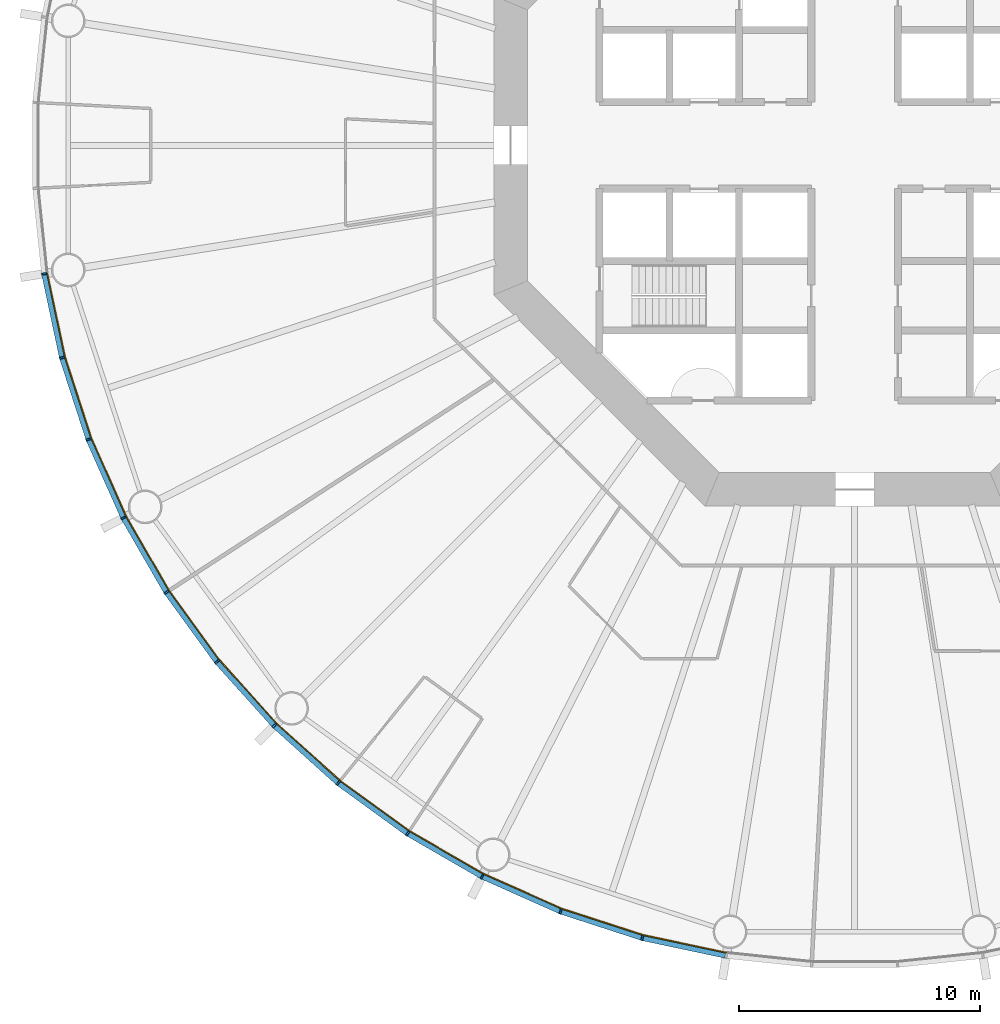
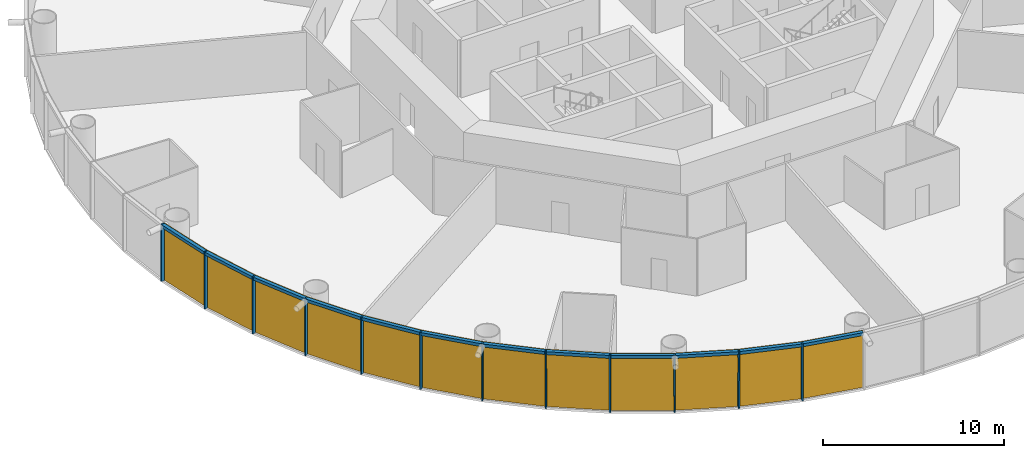
# One storey, part 7 of 13: 24 members, 4 curtain walls.
"""IFC4 building model written with IfcOpenShell, lengths in metres."""

from ifc_helpers import new_model, si_unit, direction, frame, origin, origin_2d, place, context, subcontext, project, spatial, polyline, rectangle, outline, extrude, material, layer, layer_set, material_profile, profile_set, type_object, element, aggregate, save


model = new_model("IFC4")

# Units and contexts
model_context = context("Model", 3, precision=1e-05, world=origin(), true_north=direction((0.0, 1.0)))
body_context = subcontext(model_context, "Body", "Model", "MODEL_VIEW")
ifc_project = project(units=[si_unit("LENGTHUNIT", "METRE"), si_unit("AREAUNIT", "SQUARE_METRE"), si_unit("VOLUMEUNIT", "CUBIC_METRE"), si_unit("PLANEANGLEUNIT", "RADIAN"), si_unit("MASSUNIT", "GRAM", prefix="KILO")], contexts=[model_context])

# Member
ifc_material_1 = material(Name="Anodised aluminium", Category="aluminium")
ifc_material_profile_1 = material_profile(ifc_material_1, rectangle(XDim=0.074951171875, YDim=0.219970703125, at=origin_2d()), Name="Mullion 75 x 220 mm anodised aluminium")
ifc_profile_set_1 = profile_set([ifc_material_profile_1], Name="Anodised aluminium")
member_type_1 = type_object("IfcMemberType", Name="Mullion 75 x 220 mm anodised aluminium", PredefinedType="MULLION", material=ifc_profile_set_1)
site_placement = place(None, origin())
building_placement = place(site_placement, origin())
storey_placement = place(building_placement, frame((0.0, 0.0, 34.0)))
member_1_placement = place(storey_placement, frame((56.31005859375, 74.6640625, 0.0), z_axis=(0.0, 0.0, 1.0), x_axis=(0.15643446504, -0.987688340595, 0.0)))
member_1 = element("IfcMember", 1, at=member_1_placement, type_object=member_type_1, Name="MULLION L06-30", PredefinedType="MULLION", context=body_context, shape_type="SweptSolid", body=[
    extrude(rectangle(XDim=0.074951171875, YDim=0.219970703125, at=origin_2d()), origin(), (0.0, 0.0, 1.0), 3.85009765625),
])

member_2_placement = place(storey_placement, frame((57.05224609375, 71.171630859375, 0.0), z_axis=(0.0, 0.0, 1.0), x_axis=(0.258819045103, -0.965925826289, 0.0)))
member_2 = element("IfcMember", 2, at=member_2_placement, type_object=member_type_1, Name="MULLION L06-31", PredefinedType="MULLION", context=body_context, shape_type="SweptSolid", body=[
    extrude(rectangle(XDim=0.074951171875, YDim=0.219970703125, at=origin_2d()), origin(), (0.0, 0.0, 1.0), 3.85009765625),
])

member_3_placement = place(storey_placement, frame((58.155517578125, 67.776123046875, 0.0), z_axis=(0.0, 0.0, 1.0), x_axis=(0.358367949545, -0.933580426497, 0.0)))
member_3 = element("IfcMember", 3, at=member_3_placement, type_object=member_type_1, Name="MULLION L06-32", PredefinedType="MULLION", context=body_context, shape_type="SweptSolid", body=[
    extrude(rectangle(XDim=0.074951171875, YDim=0.219970703125, at=origin_2d()), origin(), (0.0, 0.0, 1.0), 3.85009765625),
])

member_4_placement = place(storey_placement, frame((59.607666015625, 64.514404296875, 0.0), z_axis=(0.0, 0.0, 1.0), x_axis=(0.45399049974, -0.891006524188, 0.0)))
member_4 = element("IfcMember", 4, at=member_4_placement, type_object=member_type_1, Name="MULLION L06-33", PredefinedType="MULLION", context=body_context, shape_type="SweptSolid", body=[
    extrude(rectangle(XDim=0.074951171875, YDim=0.219970703125, at=origin_2d()), origin(), (0.0, 0.0, 1.0), 3.85009765625),
])

member_5_placement = place(storey_placement, frame((61.39306640625, 61.42236328125, 0.0), z_axis=(0.0, 0.0, 1.0), x_axis=(0.544639035015, -0.838670567945, 0.0)))
member_5 = element("IfcMember", 5, at=member_5_placement, type_object=member_type_1, Name="MULLION L06-34", PredefinedType="MULLION", context=body_context, shape_type="SweptSolid", body=[
    extrude(rectangle(XDim=0.074951171875, YDim=0.219970703125, at=origin_2d()), origin(), (0.0, 0.0, 1.0), 3.85009765625),
])

member_6_placement = place(storey_placement, frame((63.491455078125, 58.533935546875, 0.0), z_axis=(0.0, 0.0, 1.0), x_axis=(0.62932039105, -0.777145961457, 0.0)))
member_6 = element("IfcMember", 6, at=member_6_placement, type_object=member_type_1, Name="MULLION L06-35", PredefinedType="MULLION", context=body_context, shape_type="SweptSolid", body=[
    extrude(rectangle(XDim=0.074951171875, YDim=0.219970703125, at=origin_2d()), origin(), (0.0, 0.0, 1.0), 3.85009765625),
])

member_7_placement = place(storey_placement, frame((65.880615234375, 55.880615234375, 0.0), z_axis=(0.0, 0.0, 1.0), x_axis=(0.707106781187, -0.707106781187, 0.0)))
member_7 = element("IfcMember", 7, at=member_7_placement, type_object=member_type_1, Name="MULLION L06-36", PredefinedType="MULLION", context=body_context, shape_type="SweptSolid", body=[
    extrude(rectangle(XDim=0.074951171875, YDim=0.219970703125, at=origin_2d()), origin(), (0.0, 0.0, 1.0), 3.85009765625),
])

member_8_placement = place(storey_placement, frame((68.533935546875, 53.491455078125, 0.0), z_axis=(0.0, 0.0, 1.0), x_axis=(0.777145961457, -0.62932039105, 0.0)))
member_8 = element("IfcMember", 8, at=member_8_placement, type_object=member_type_1, Name="MULLION L06-37", PredefinedType="MULLION", context=body_context, shape_type="SweptSolid", body=[
    extrude(rectangle(XDim=0.074951171875, YDim=0.219970703125, at=origin_2d()), origin(), (0.0, 0.0, 1.0), 3.85009765625),
])

member_9_placement = place(storey_placement, frame((71.42236328125, 51.39306640625, 0.0), z_axis=(0.0, 0.0, 1.0), x_axis=(0.838670567945, -0.544639035015, 0.0)))
member_9 = element("IfcMember", 9, at=member_9_placement, type_object=member_type_1, Name="MULLION L06-38", PredefinedType="MULLION", context=body_context, shape_type="SweptSolid", body=[
    extrude(rectangle(XDim=0.074951171875, YDim=0.219970703125, at=origin_2d()), origin(), (0.0, 0.0, 1.0), 3.85009765625),
])

member_10_placement = place(storey_placement, frame((74.514404296875, 49.607666015625, 0.0), z_axis=(0.0, 0.0, 1.0), x_axis=(0.891006524188, -0.45399049974, 0.0)))
member_10 = element("IfcMember", 10, at=member_10_placement, type_object=member_type_1, Name="MULLION L06-39", PredefinedType="MULLION", context=body_context, shape_type="SweptSolid", body=[
    extrude(rectangle(XDim=0.074951171875, YDim=0.219970703125, at=origin_2d()), origin(), (0.0, 0.0, 1.0), 3.85009765625),
])

member_11_placement = place(storey_placement, frame((77.776123046875, 48.155517578125, 0.0), z_axis=(0.0, 0.0, 1.0), x_axis=(0.933580426497, -0.358367949545, 0.0)))
member_11 = element("IfcMember", 11, at=member_11_placement, type_object=member_type_1, Name="MULLION L06-40", PredefinedType="MULLION", context=body_context, shape_type="SweptSolid", body=[
    extrude(rectangle(XDim=0.074951171875, YDim=0.219970703125, at=origin_2d()), origin(), (0.0, 0.0, 1.0), 3.85009765625),
])

member_12_placement = place(storey_placement, frame((81.171630859375, 47.05224609375, 0.0), z_axis=(0.0, 0.0, 1.0), x_axis=(0.965925826289, -0.258819045103, 0.0)))
member_12 = element("IfcMember", 12, at=member_12_placement, type_object=member_type_1, Name="MULLION L06-41", PredefinedType="MULLION", context=body_context, shape_type="SweptSolid", body=[
    extrude(rectangle(XDim=0.074951171875, YDim=0.219970703125, at=origin_2d()), origin(), (0.0, 0.0, 1.0), 3.85009765625),
])

ifc_material_2 = material(Name="Anodised aluminium", Category="aluminium")
ifc_material_profile_2 = material_profile(ifc_material_2, rectangle(XDim=0.219970703125, YDim=0.199951171875, at=origin_2d()), Name="Transom 200 x 220 mm anodised aluminium")
ifc_profile_set_2 = profile_set([ifc_material_profile_2], Name="Anodised aluminium")
member_type_2 = type_object("IfcMemberType", Name="Transom 200 x 220 mm anodised aluminium", PredefinedType="USERDEFINED", material=ifc_profile_set_2)
member_13_placement = place(storey_placement, frame((56.31884765625, 74.62158203125, 3.75), z_axis=(0.207920776701, -0.978145669426, 0.0), x_axis=(0.978145669426, 0.207920776701, 0.0)))
member_13 = element("IfcMember", 13, at=member_13_placement, type_object=member_type_2, Name="TRANSOM L06-30", ObjectType="TRANSOM", PredefinedType="USERDEFINED", context=body_context, shape_type="SweptSolid", body=[
    extrude(rectangle(XDim=0.219970703125, YDim=0.199951171875, at=origin_2d()), origin(), (0.0, 0.0, 1.0), 3.48388671875),
])

member_14_placement = place(storey_placement, frame((57.0654296875, 71.130615234375, 3.75), z_axis=(0.309029029702, -0.951052605696, 0.0), x_axis=(0.951052605696, 0.309029029702, 0.0)))
member_14 = element("IfcMember", 14, at=member_14_placement, type_object=member_type_2, Name="TRANSOM L06-31", ObjectType="TRANSOM", PredefinedType="USERDEFINED", context=body_context, shape_type="SweptSolid", body=[
    extrude(rectangle(XDim=0.219970703125, YDim=0.199951171875, at=origin_2d()), origin(), (0.0, 0.0, 1.0), 3.484130859375),
])

member_15_placement = place(storey_placement, frame((58.173095703125, 67.736572265625, 3.75), z_axis=(0.406736576304, -0.913545487371, 0.0), x_axis=(0.913545487371, 0.406736576304, 0.0)))
member_15 = element("IfcMember", 15, at=member_15_placement, type_object=member_type_2, Name="TRANSOM L06-32", ObjectType="TRANSOM", PredefinedType="USERDEFINED", context=body_context, shape_type="SweptSolid", body=[
    extrude(rectangle(XDim=0.219970703125, YDim=0.199951171875, at=origin_2d()), origin(), (0.0, 0.0, 1.0), 3.48388671875),
])

member_16_placement = place(storey_placement, frame((59.629150390625, 64.476806640625, 3.75), z_axis=(0.500005538244, -0.866022206254, 0.0), x_axis=(0.866022206254, 0.500005538244, 0.0)))
member_16 = element("IfcMember", 16, at=member_16_placement, type_object=member_type_2, Name="TRANSOM L06-33", ObjectType="TRANSOM", PredefinedType="USERDEFINED", context=body_context, shape_type="SweptSolid", body=[
    extrude(rectangle(XDim=0.219970703125, YDim=0.199951171875, at=origin_2d()), origin(), (0.0, 0.0, 1.0), 3.48388671875),
])

member_17_placement = place(storey_placement, frame((61.418212890625, 61.38720703125, 3.75), z_axis=(0.587821627006, -0.80899056535, 0.0), x_axis=(0.80899056535, 0.587821627006, 0.0)))
member_17 = element("IfcMember", 17, at=member_17_placement, type_object=member_type_2, Name="TRANSOM L06-34", ObjectType="TRANSOM", PredefinedType="USERDEFINED", context=body_context, shape_type="SweptSolid", body=[
    extrude(rectangle(XDim=0.219970703125, YDim=0.199951171875, at=origin_2d()), origin(), (0.0, 0.0, 1.0), 3.48388671875),
])

member_18_placement = place(storey_placement, frame((63.520263671875, 58.501708984375, 3.75), z_axis=(0.669138930974, -0.743137329876, 0.0), x_axis=(0.743137329876, 0.669138930974, 0.0)))
member_18 = element("IfcMember", 18, at=member_18_placement, type_object=member_type_2, Name="TRANSOM L06-35", ObjectType="TRANSOM", PredefinedType="USERDEFINED", context=body_context, shape_type="SweptSolid", body=[
    extrude(rectangle(XDim=0.219970703125, YDim=0.199951171875, at=origin_2d()), origin(), (0.0, 0.0, 1.0), 3.484130859375),
])

member_19_placement = place(storey_placement, frame((65.91259765625, 55.8515625, 3.75), z_axis=(0.743137329876, -0.669138930974, 0.0), x_axis=(0.669138930974, 0.743137329876, 0.0)))
member_19 = element("IfcMember", 19, at=member_19_placement, type_object=member_type_2, Name="TRANSOM L06-36", ObjectType="TRANSOM", PredefinedType="USERDEFINED", context=body_context, shape_type="SweptSolid", body=[
    extrude(rectangle(XDim=0.219970703125, YDim=0.199951171875, at=origin_2d()), origin(), (0.0, 0.0, 1.0), 3.484130859375),
])

member_20_placement = place(storey_placement, frame((68.56884765625, 53.466064453125, 3.75), z_axis=(0.80899056535, -0.587821627006, 0.0), x_axis=(0.587821627006, 0.80899056535, 0.0)))
member_20 = element("IfcMember", 20, at=member_20_placement, type_object=member_type_2, Name="TRANSOM L06-37", ObjectType="TRANSOM", PredefinedType="USERDEFINED", context=body_context, shape_type="SweptSolid", body=[
    extrude(rectangle(XDim=0.219970703125, YDim=0.199951171875, at=origin_2d()), origin(), (0.0, 0.0, 1.0), 3.48388671875),
])

member_21_placement = place(storey_placement, frame((71.459716796875, 51.37109375, 3.75), z_axis=(0.866022206254, -0.500005538244, 0.0), x_axis=(0.500005538244, 0.866022206254, 0.0)))
member_21 = element("IfcMember", 21, at=member_21_placement, type_object=member_type_2, Name="TRANSOM L06-38", ObjectType="TRANSOM", PredefinedType="USERDEFINED", context=body_context, shape_type="SweptSolid", body=[
    extrude(rectangle(XDim=0.219970703125, YDim=0.199951171875, at=origin_2d()), origin(), (0.0, 0.0, 1.0), 3.48388671875),
])

member_22_placement = place(storey_placement, frame((74.553955078125, 49.590087890625, 3.75), z_axis=(0.913545487371, -0.406736576304, 0.0), x_axis=(0.406736576304, 0.913545487371, 0.0)))
member_22 = element("IfcMember", 22, at=member_22_placement, type_object=member_type_2, Name="TRANSOM L06-39", ObjectType="TRANSOM", PredefinedType="USERDEFINED", context=body_context, shape_type="SweptSolid", body=[
    extrude(rectangle(XDim=0.219970703125, YDim=0.199951171875, at=origin_2d()), origin(), (0.0, 0.0, 1.0), 3.48388671875),
])

member_23_placement = place(storey_placement, frame((77.817138671875, 48.14208984375, 3.75), z_axis=(0.951052605696, -0.309029029702, 0.0), x_axis=(0.309029029702, 0.951052605696, 0.0)))
member_23 = element("IfcMember", 23, at=member_23_placement, type_object=member_type_2, Name="TRANSOM L06-40", ObjectType="TRANSOM", PredefinedType="USERDEFINED", context=body_context, shape_type="SweptSolid", body=[
    extrude(rectangle(XDim=0.219970703125, YDim=0.199951171875, at=origin_2d()), origin(), (0.0, 0.0, 1.0), 3.484130859375),
])

member_24_placement = place(storey_placement, frame((81.2138671875, 47.043212890625, 3.75), z_axis=(0.978145669426, -0.207920776701, 0.0), x_axis=(0.207920776701, 0.978145669426, 0.0)))
member_24 = element("IfcMember", 24, at=member_24_placement, type_object=member_type_2, Name="TRANSOM L06-41", ObjectType="TRANSOM", PredefinedType="USERDEFINED", context=body_context, shape_type="SweptSolid", body=[
    extrude(rectangle(XDim=0.219970703125, YDim=0.199951171875, at=origin_2d()), origin(), (0.0, 0.0, 1.0), 3.48388671875),
])

# Site, building, storey
site = spatial("IfcSite", under=ifc_project, at=site_placement, CompositionType="ELEMENT")
building = spatial("IfcBuilding", under=site, at=building_placement, Name="Entoto Ring Tower", CompositionType="ELEMENT")
storey = spatial("IfcBuildingStorey", under=building, at=storey_placement, Name="L06", CompositionType="ELEMENT", Elevation=34.0)

# Curtain wall
ifc_material_3 = material(Name="Clear low-iron glass", Category="glass")
ifc_layer = layer(ifc_material_3, 0.0400390625)
ifc_layer_set = layer_set([ifc_layer], Name="Clear low-iron glass")
curtain_wall_type = type_object("IfcCurtainWallType", Name="Curtain wall system CW1 glazing 40 mm", PredefinedType="NOTDEFINED", material=ifc_layer_set)
curtain_wall_1_placement = place(storey_placement, origin())
curtain_wall_1 = element("IfcCurtainWall", 25, at=curtain_wall_1_placement, inside=storey, type_object=curtain_wall_type, Name="CW1 L06-11", PredefinedType="NOTDEFINED", context=body_context, shape_type="SweptSolid", body=[
    extrude(outline(polyline([(56.418701171875, 74.68115234375), (57.158447265625, 71.2001953125), (58.25830078125, 67.8154296875), (59.705810546875, 64.564208984375), (59.741455078125, 64.58251953125), (58.295654296875, 67.829833984375), (57.197265625, 71.21044921875), (56.458251953125, 74.6875), (56.418701171875, 74.68115234375)])), origin(), (0.0, 0.0, 1.0), 3.85009765625),
])

aggregate(curtain_wall_1, [member_1, member_2, member_3, member_13, member_14, member_15])

curtain_wall_2_placement = place(storey_placement, origin())
curtain_wall_2 = element("IfcCurtainWall", 26, at=curtain_wall_2_placement, inside=storey, type_object=curtain_wall_type, Name="CW1 L06-12", PredefinedType="NOTDEFINED", context=body_context, shape_type="SweptSolid", body=[
    extrude(outline(polyline([(59.705810546875, 64.564208984375), (61.485107421875, 61.482177734375), (63.5771484375, 58.60302734375), (65.958251953125, 55.958251953125), (65.986572265625, 55.986572265625), (63.608154296875, 58.62841796875), (61.518798828125, 61.504150390625), (59.741455078125, 64.58251953125), (59.705810546875, 64.564208984375)])), origin(), (0.0, 0.0, 1.0), 3.85009765625),
])

aggregate(curtain_wall_2, [member_4, member_5, member_6, member_16, member_17, member_18])

curtain_wall_3_placement = place(storey_placement, origin())
curtain_wall_3 = element("IfcCurtainWall", 27, at=curtain_wall_3_placement, inside=storey, type_object=curtain_wall_type, Name="CW1 L06-13", PredefinedType="NOTDEFINED", context=body_context, shape_type="SweptSolid", body=[
    extrude(outline(polyline([(65.958251953125, 55.958251953125), (68.60302734375, 53.5771484375), (71.482177734375, 51.485107421875), (74.564208984375, 49.705810546875), (74.58251953125, 49.741455078125), (71.504150390625, 51.518798828125), (68.62841796875, 53.608154296875), (65.986572265625, 55.986572265625), (65.958251953125, 55.958251953125)])), origin(), (0.0, 0.0, 1.0), 3.85009765625),
])

aggregate(curtain_wall_3, [member_7, member_8, member_9, member_19, member_20, member_21])

curtain_wall_4_placement = place(storey_placement, origin())
curtain_wall_4 = element("IfcCurtainWall", 28, at=curtain_wall_4_placement, inside=storey, type_object=curtain_wall_type, Name="CW1 L06-14", PredefinedType="NOTDEFINED", context=body_context, shape_type="SweptSolid", body=[
    extrude(outline(polyline([(74.564208984375, 49.705810546875), (77.8154296875, 48.25830078125), (81.2001953125, 47.158447265625), (84.68115234375, 46.418701171875), (84.6875, 46.458251953125), (81.21044921875, 47.197265625), (77.829833984375, 48.295654296875), (74.58251953125, 49.741455078125), (74.564208984375, 49.705810546875)])), origin(), (0.0, 0.0, 1.0), 3.85009765625),
])

aggregate(curtain_wall_4, [member_10, member_11, member_12, member_22, member_23, member_24])

save(model, "model.ifc")
